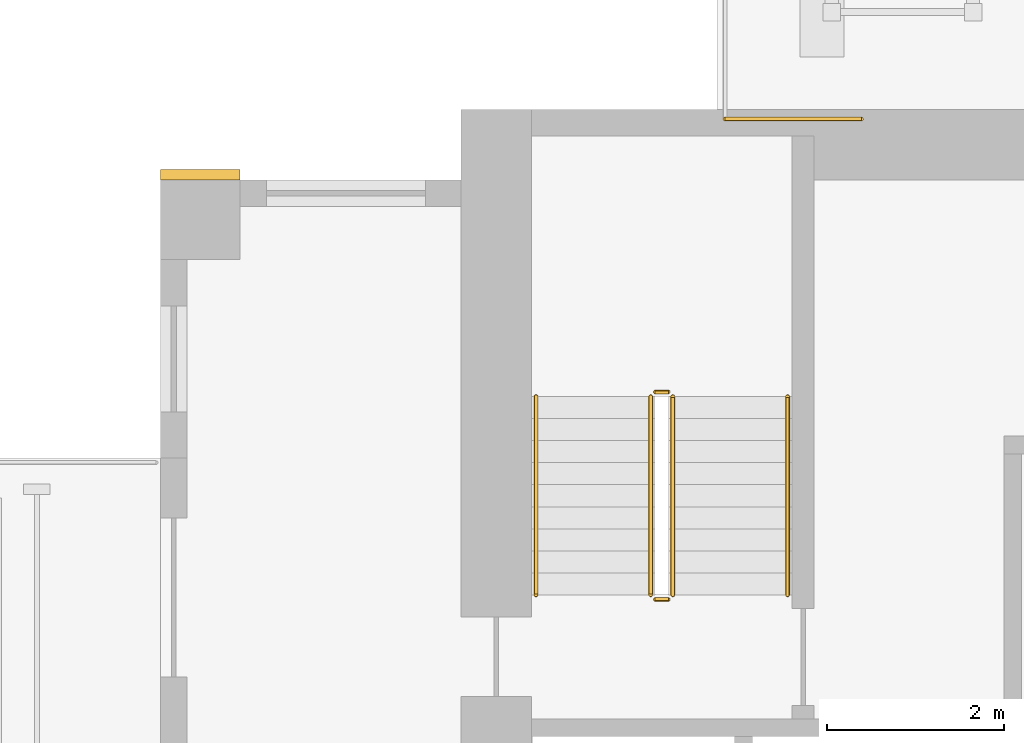
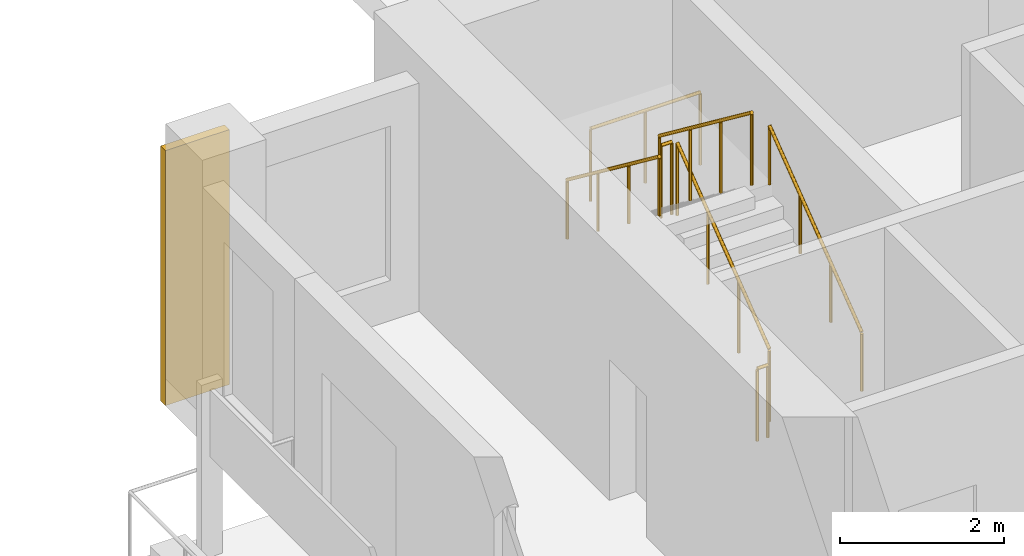
# One storey, part 12 of 14: 7 railings, 1 covering.
"""IFC4 building model written with IfcOpenShell, lengths in metres."""

from ifc_helpers import new_model, si_unit, direction, frame, origin, origin_2d, place, context, subcontext, project, spatial, rectangle, circle, extrude, source, transform, mapped, material, type_object, element, save


model = new_model("IFC4")

# Units and contexts
model_context = context("Model", 3, precision=1e-05, world=origin(), true_north=direction((0.0, 1.0)))
body_context = subcontext(model_context, "Body", "Model", "MODEL_VIEW")
ifc_project = project(units=[si_unit("LENGTHUNIT", "METRE"), si_unit("AREAUNIT", "SQUARE_METRE"), si_unit("VOLUMEUNIT", "CUBIC_METRE"), si_unit("PLANEANGLEUNIT", "RADIAN"), si_unit("MASSUNIT", "GRAM", prefix="KILO")], contexts=[model_context])

# Site, building, storey
site_placement = place(None, origin())
site = spatial("IfcSite", under=ifc_project, at=site_placement, CompositionType="ELEMENT")
building_placement = place(site_placement, origin())
building = spatial("IfcBuilding", under=site, at=building_placement, Name="Aurelian Terraces", CompositionType="ELEMENT")
storey_placement = place(building_placement, frame((0.0, 0.0, 185.4)))
storey = spatial("IfcBuildingStorey", under=building, at=storey_placement, Name="L40", CompositionType="ELEMENT", Elevation=185.4)

# Covering
ifc_material_1 = material(Name="Terracotta rainscreen cladding relief", Category="masonry")
covering_type = type_object("IfcCoveringType", Name="BAGUETTE-TC", PredefinedType="CLADDING", material=ifc_material_1)
shared_shape_1 = source(origin(), body_context, "Body", "SweptSolid", [
    extrude(rectangle(XDim=0.9, YDim=0.12, at=origin_2d()), origin(), (0.0, 0.0, 1.0), 3.8),
])
covering_placement = place(storey_placement, frame((0.45, 21.06, -0.4), z_axis=(0.0, 0.0, 1.0), x_axis=(1.0, 0.0, 0.0)))
element("IfcCovering", 1, at=covering_placement, inside=storey, type_object=covering_type, Name="BAGUETTE pier L40 5", PredefinedType="CLADDING", context=body_context, shape_type="MappedRepresentation", body=[
    mapped(shared_shape_1, transform((0.0, 0.0, 0.0), scale=1.0)),
])

# Railings
ifc_material_2 = material(Name="Anodised aluminium", Category="aluminium")
railing_type_1 = type_object("IfcRailingType", Name="GUARD-1100", PredefinedType="GUARDRAIL", material=ifc_material_2)
shared_shape_2 = source(origin(), body_context, "Body", "SweptSolid", [
    extrude(circle(Radius=0.024, at=origin_2d()), frame((0.0, 0.0, 1.076), z_axis=(-1.0, 0.0, 0.0), x_axis=(0.0, -1.0, 0.0)), (0.0, 0.0, 1.0), 1.5471),
    extrude(circle(Radius=0.021, at=origin_2d()), origin(), (0.0, 0.0, 1.0), 1.052),
    extrude(circle(Radius=0.021, at=origin_2d()), frame((-0.7736, 0.0, 0.0)), (0.0, 0.0, 1.0), 1.052),
    extrude(circle(Radius=0.021, at=origin_2d()), frame((-1.5471, 0.0, 0.0)), (0.0, 0.0, 1.0), 1.052),
])
railing_1_placement = place(storey_placement, frame((7.9371, 21.69, 0.0)))
element("IfcRailing", 2, at=railing_1_placement, inside=storey, type_object=railing_type_1, Name="Terrace guard L40 SKY-06-T1.1", PredefinedType="GUARDRAIL", context=body_context, shape_type="MappedRepresentation", body=[
    mapped(shared_shape_2, transform((0.0, 0.0, 0.0), scale=1.0)),
])
ifc_material_3 = material(Name="Stainless steel", Category="steel")
railing_type_2 = type_object("IfcRailingType", Name="Stair guard 1100", PredefinedType="GUARDRAIL", material=ifc_material_3)
shared_shape_3 = source(origin(), body_context, "Body", "SweptSolid", [
    extrude(circle(Radius=0.024, at=origin_2d()), frame((0.0, 0.0, 1.076), z_axis=(-1.0, 0.0, 0.0), x_axis=(0.0, -1.0, 0.0)), (0.0, 0.0, 1.0), 0.15),
    extrude(circle(Radius=0.021, at=origin_2d()), origin(), (0.0, 0.0, 1.0), 1.052),
    extrude(circle(Radius=0.021, at=origin_2d()), frame((-0.15, 0.0, 0.0)), (0.0, 0.0, 1.0), 1.052),
])
for number, where, name in (
    (3, (5.75, 18.6, 1.9), "L40 S1 stair guard 2"),
    (4, (5.75, 16.25, 0.0), "L40 S1 stair guard 4"),
):
    element("IfcRailing", number, at=place(storey_placement, frame(where)), inside=storey, type_object=railing_type_2, Name=name, PredefinedType="GUARDRAIL", context=body_context, shape_type="MappedRepresentation", body=[
        mapped(shared_shape_3, transform((0.0, 0.0, 0.0), scale=1.0)),
    ])
shared_shape_4 = source(origin(), body_context, "Body", "SweptSolid", [
    extrude(circle(Radius=0.024, at=origin_2d()), frame((0.0, 0.0, 1.076), z_axis=(0.0, 0.796162194123, 0.605083267534), x_axis=(-1.0, 0.0, 0.0)), (0.0, 0.0, 1.0), 2.8261),
    extrude(circle(Radius=0.021, at=origin_2d()), origin(), (0.0, 0.0, 1.0), 1.052),
    extrude(circle(Radius=0.021, at=origin_2d()), frame((0.0, 0.75, 0.57)), (0.0, 0.0, 1.0), 1.052),
    extrude(circle(Radius=0.021, at=origin_2d()), frame((0.0, 1.5, 1.14)), (0.0, 0.0, 1.0), 1.052),
    extrude(circle(Radius=0.021, at=origin_2d()), frame((0.0, 2.25, 1.71)), (0.0, 0.0, 1.0), 1.052),
])
railing_2_placement = place(storey_placement, frame((5.8, 16.3, 0.19)))
element("IfcRailing", 5, at=railing_2_placement, inside=storey, type_object=railing_type_2, Name="L40 S1 stair guard 1", PredefinedType="GUARDRAIL", context=body_context, shape_type="MappedRepresentation", body=[
    mapped(shared_shape_4, transform((0.0, 0.0, 0.0), scale=1.0)),
])
shared_shape_5 = source(origin(), body_context, "Body", "SweptSolid", [
    extrude(circle(Radius=0.024, at=origin_2d()), frame((0.0, 0.0, 1.076), z_axis=(0.0, -0.796162194123, 0.605083267534), x_axis=(1.0, 0.0, 0.0)), (0.0, 0.0, 1.0), 2.8261),
    extrude(circle(Radius=0.021, at=origin_2d()), origin(), (0.0, 0.0, 1.0), 1.052),
    extrude(circle(Radius=0.021, at=origin_2d()), frame((0.0, -0.75, 0.57)), (0.0, 0.0, 1.0), 1.052),
    extrude(circle(Radius=0.021, at=origin_2d()), frame((0.0, -1.5, 1.14)), (0.0, 0.0, 1.0), 1.052),
    extrude(circle(Radius=0.021, at=origin_2d()), frame((0.0, -2.25, 1.71)), (0.0, 0.0, 1.0), 1.052),
])
railing_3_placement = place(storey_placement, frame((5.55, 18.55, 2.09)))
element("IfcRailing", 6, at=railing_3_placement, inside=storey, type_object=railing_type_2, Name="L40 S1 stair guard 3", PredefinedType="GUARDRAIL", context=body_context, shape_type="MappedRepresentation", body=[
    mapped(shared_shape_5, transform((0.0, 0.0, 0.0), scale=1.0)),
])
railing_type_3 = type_object("IfcRailingType", Name="Stair handrail", PredefinedType="HANDRAIL", material=ifc_material_3)
shared_shape_6 = source(origin(), body_context, "Body", "SweptSolid", [
    extrude(circle(Radius=0.024, at=origin_2d()), frame((0.0, 0.0, 0.876), z_axis=(0.0, 0.796162194123, 0.605083267534), x_axis=(-1.0, 0.0, 0.0)), (0.0, 0.0, 1.0), 2.8261),
    extrude(circle(Radius=0.021, at=origin_2d()), origin(), (0.0, 0.0, 1.0), 0.852),
    extrude(circle(Radius=0.021, at=origin_2d()), frame((0.0, 0.75, 0.57)), (0.0, 0.0, 1.0), 0.852),
    extrude(circle(Radius=0.021, at=origin_2d()), frame((0.0, 1.5, 1.14)), (0.0, 0.0, 1.0), 0.852),
    extrude(circle(Radius=0.021, at=origin_2d()), frame((0.0, 2.25, 1.71)), (0.0, 0.0, 1.0), 0.852),
])
railing_4_placement = place(storey_placement, frame((7.1, 16.3, 0.19)))
element("IfcRailing", 7, at=railing_4_placement, inside=storey, type_object=railing_type_3, Name="L40 S1 stair handrail 1", PredefinedType="HANDRAIL", context=body_context, shape_type="MappedRepresentation", body=[
    mapped(shared_shape_6, transform((0.0, 0.0, 0.0), scale=1.0)),
])
shared_shape_7 = source(origin(), body_context, "Body", "SweptSolid", [
    extrude(circle(Radius=0.024, at=origin_2d()), frame((0.0, 0.0, 0.876), z_axis=(0.0, -0.796162194123, 0.605083267534), x_axis=(1.0, 0.0, 0.0)), (0.0, 0.0, 1.0), 2.8261),
    extrude(circle(Radius=0.021, at=origin_2d()), origin(), (0.0, 0.0, 1.0), 0.852),
    extrude(circle(Radius=0.021, at=origin_2d()), frame((0.0, -0.75, 0.57)), (0.0, 0.0, 1.0), 0.852),
    extrude(circle(Radius=0.021, at=origin_2d()), frame((0.0, -1.5, 1.14)), (0.0, 0.0, 1.0), 0.852),
    extrude(circle(Radius=0.021, at=origin_2d()), frame((0.0, -2.25, 1.71)), (0.0, 0.0, 1.0), 0.852),
])
railing_5_placement = place(storey_placement, frame((4.25, 18.55, 2.09)))
element("IfcRailing", 8, at=railing_5_placement, inside=storey, type_object=railing_type_3, Name="L40 S1 stair handrail 2", PredefinedType="HANDRAIL", context=body_context, shape_type="MappedRepresentation", body=[
    mapped(shared_shape_7, transform((0.0, 0.0, 0.0), scale=1.0)),
])

save(model, "model.ifc")
